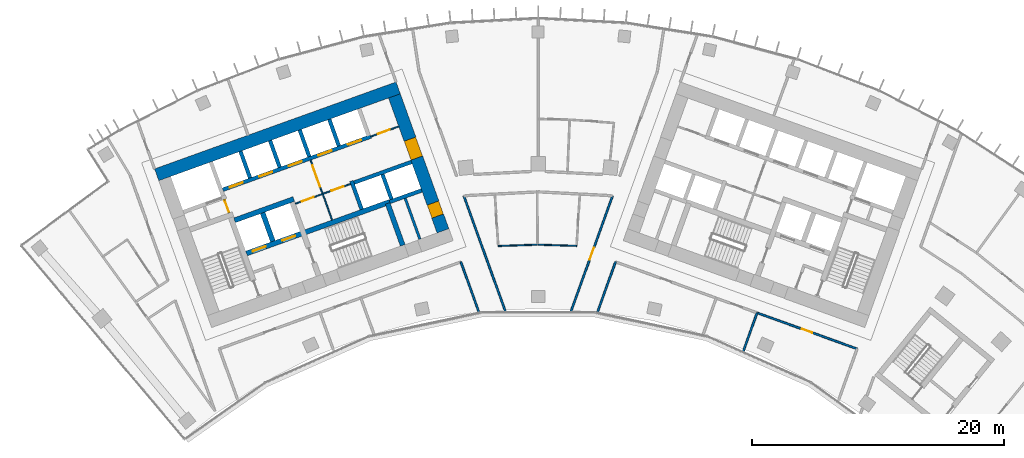
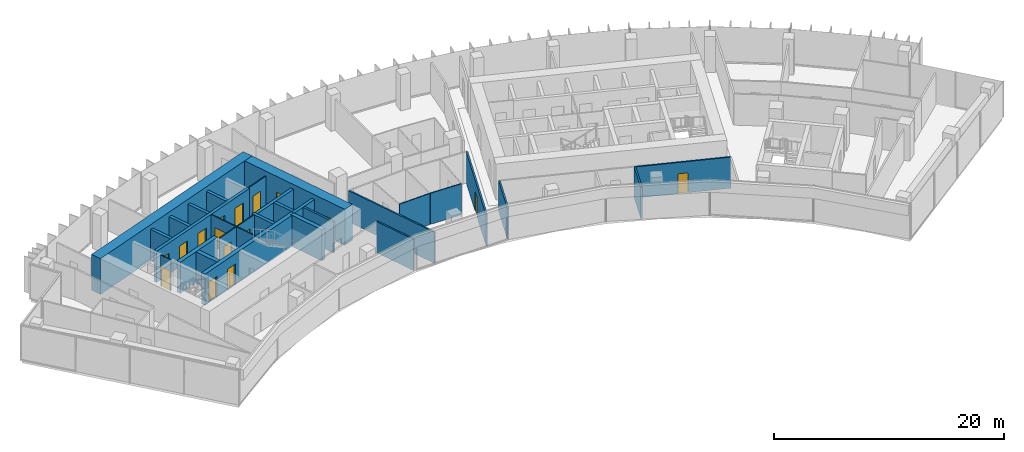
# One storey, part 13 of 19: 28 walls, 16 doors, 16 openings.
"""IFC4 building model written with IfcOpenShell, lengths in metres."""

from ifc_helpers import new_model, si_unit, direction, frame, frame_2d, origin, place, context, subcontext, project, spatial, rectangle, extrude, material, layer, layer_set, type_object, element, fill, save


model = new_model("IFC4")

# Units and contexts
model_context = context("Model", 3, precision=1e-05, world=origin(), true_north=direction((0.0, 1.0)))
body_context = subcontext(model_context, "Body", "Model", "MODEL_VIEW")
ifc_project = project(units=[si_unit("LENGTHUNIT", "METRE"), si_unit("AREAUNIT", "SQUARE_METRE"), si_unit("VOLUMEUNIT", "CUBIC_METRE"), si_unit("PLANEANGLEUNIT", "RADIAN"), si_unit("MASSUNIT", "GRAM", prefix="KILO")], contexts=[model_context])

# Site, building, storey
site_placement = place(None, origin())
site = spatial("IfcSite", under=ifc_project, at=site_placement, CompositionType="ELEMENT")
building_placement = place(site_placement, origin())
building = spatial("IfcBuilding", under=site, at=building_placement, Name="Stone Belt Terrace Tower", CompositionType="ELEMENT")
storey_placement = place(building_placement, frame((0.0, 0.0, 246.60009765625)))
storey = spatial("IfcBuildingStorey", under=building, at=storey_placement, Name="L60", CompositionType="ELEMENT", Elevation=246.60009765625)

# Wall, opening, door
ifc_material_1 = material(Name="Plasterboard partition")
ifc_layer_1 = layer(ifc_material_1, 0.10009765625)
ifc_layer_set_1 = layer_set([ifc_layer_1], Name="Core partition 100")
wall_type_1 = type_object("IfcWallType", Name="Core partition 100", PredefinedType="PARTITIONING", material=ifc_layer_set_1)
wall_1_placement = place(storey_placement, frame((-24.555908203125, 51.10400390625, 0.0), z_axis=(0.0, 0.0, 1.0), x_axis=(-0.338621735342, 0.94092258999, 0.0)))
wall_1 = element("IfcWall", 1, at=wall_1_placement, inside=storey, type_object=wall_type_1, Name="Core A wall", PredefinedType="PARTITIONING", context=body_context, shape_type="SweptSolid", body=[
    extrude(rectangle(XDim=1.14990234375, YDim=0.10009765625, at=frame_2d((0.574951171875, 0.0))), origin(), (0.0, 0.0, 1.0), 3.2998046875),
])
opening_1_placement = place(wall_1_placement, frame((0.050048828125, 0.0, 0.0)))
opening_1 = element("IfcOpeningElement", 2, at=opening_1_placement, cuts=wall_1, Name="Opening L60-C05", PredefinedType="OPENING", context=body_context, shape_type="SweptSolid", body=[
    extrude(rectangle(XDim=1.0, YDim=2.10009765625, at=frame_2d((0.5, 1.050048828125))), frame((0.0, 0.06005859375, 0.0), z_axis=(0.0, -1.0, 0.0), x_axis=(1.0, 0.0, 0.0)), (0.0, 0.0, 1.0), 0.1201171875),
])
ifc_material_2 = material(Name="Timber door leaf", Category="wood")
door_type_1 = type_object("IfcDoorType", Name="Core room door 1000", OperationType="SINGLE_SWING_LEFT", PredefinedType="DOOR", material=ifc_material_2)
door_1_placement = place(opening_1_placement, origin())
door_1 = element("IfcDoor", 3, at=door_1_placement, inside=storey, type_object=door_type_1, Name="Service lift lobby door core A", OperationType="SINGLE_SWING_LEFT", OverallHeight=2.10009765625, OverallWidth=1.0, PredefinedType="DOOR", context=body_context, shape_type="SweptSolid", body=[
    extrude(rectangle(XDim=1.0, YDim=2.10009765625, at=frame_2d((0.5, 1.050048828125))), frame((0.0, 0.02490234375, 0.0), z_axis=(0.0, -1.0, 0.0), x_axis=(1.0, 0.0, 0.0)), (0.0, 0.0, 1.0), 0.050048828125),
])
fill(opening_1, door_1)

# Wall, openings, doors
wall_2_placement = place(storey_placement, frame((-19.29052734375, 51.829833984375, 0.0), z_axis=(0.0, 0.0, 1.0), x_axis=(0.940930240745, 0.338600475563, 0.0)))
wall_2 = element("IfcWall", 4, at=wall_2_placement, inside=storey, type_object=wall_type_1, Name="Core A wall", PredefinedType="PARTITIONING", context=body_context, shape_type="SweptSolid", body=[
    extrude(rectangle(XDim=4.64990234375, YDim=0.10009765625, at=frame_2d((2.324951171875, 0.0))), origin(), (0.0, 0.0, 1.0), 3.2998046875),
])
opening_2_placement = place(wall_2_placement, frame((0.550048828125, 0.0, 0.0)))
opening_2 = element("IfcOpeningElement", 5, at=opening_2_placement, cuts=wall_2, Name="Opening L60-C02", PredefinedType="OPENING", context=body_context, shape_type="SweptSolid", body=[
    extrude(rectangle(XDim=1.0, YDim=2.10009765625, at=frame_2d((0.5, 1.050048828125))), frame((0.0, 0.06005859375, 0.0), z_axis=(0.0, -1.0, 0.0), x_axis=(1.0, 0.0, 0.0)), (0.0, 0.0, 1.0), 0.1201171875),
])
opening_3_placement = place(wall_2_placement, frame((3.050048828125, 0.0, 0.0)))
opening_3 = element("IfcOpeningElement", 6, at=opening_3_placement, cuts=wall_2, Name="Opening L60-C03", PredefinedType="OPENING", context=body_context, shape_type="SweptSolid", body=[
    extrude(rectangle(XDim=1.0, YDim=2.10009765625, at=frame_2d((0.5, 1.050048828125))), frame((0.0, 0.06005859375, 0.0), z_axis=(0.0, -1.0, 0.0), x_axis=(1.0, 0.0, 0.0)), (0.0, 0.0, 1.0), 0.1201171875),
])
door_2_placement = place(opening_2_placement, origin())
door_2 = element("IfcDoor", 7, at=door_2_placement, inside=storey, type_object=door_type_1, Name="Door to Print and copy room core A", OperationType="SINGLE_SWING_LEFT", OverallHeight=2.10009765625, OverallWidth=1.0, PredefinedType="DOOR", context=body_context, shape_type="SweptSolid", body=[
    extrude(rectangle(XDim=1.0, YDim=2.10009765625, at=frame_2d((0.5, 1.050048828125))), frame((0.0, 0.02490234375, 0.0), z_axis=(0.0, -1.0, 0.0), x_axis=(1.0, 0.0, 0.0)), (0.0, 0.0, 1.0), 0.050048828125),
])
fill(opening_2, door_2)
door_3_placement = place(opening_3_placement, origin())
door_3 = element("IfcDoor", 8, at=door_3_placement, inside=storey, type_object=door_type_1, Name="Door to Pantry core A", OperationType="SINGLE_SWING_RIGHT", OverallHeight=2.10009765625, OverallWidth=1.0, PredefinedType="DOOR", context=body_context, shape_type="SweptSolid", body=[
    extrude(rectangle(XDim=1.0, YDim=2.10009765625, at=frame_2d((0.5, 1.050048828125))), frame((0.0, 0.02490234375, 0.0), z_axis=(0.0, -1.0, 0.0), x_axis=(1.0, 0.0, 0.0)), (0.0, 0.0, 1.0), 0.050048828125),
])
fill(opening_3, door_3)

# Wall, opening, door
wall_3_placement = place(storey_placement, frame((-16.38134765625, 50.53857421875, 0.0), z_axis=(0.0, 0.0, 1.0), x_axis=(-0.33860476744, 0.940928696271, 0.0)))
wall_3 = element("IfcWall", 9, at=wall_3_placement, inside=storey, type_object=wall_type_1, Name="Core A wall", PredefinedType="PARTITIONING", context=body_context, shape_type="SweptSolid", body=[
    extrude(rectangle(XDim=5.050048828125, YDim=0.10009765625, at=frame_2d((2.52490234375, 0.0))), origin(), (0.0, 0.0, 1.0), 3.2998046875),
])
opening_4_placement = place(wall_3_placement, frame((2.800048828125, 0.0, 0.0)))
opening_4 = element("IfcOpeningElement", 10, at=opening_4_placement, cuts=wall_3, Name="Opening L60-C06", PredefinedType="OPENING", context=body_context, shape_type="SweptSolid", body=[
    extrude(rectangle(XDim=1.800048828125, YDim=2.10009765625, at=frame_2d((0.89990234375, 1.050048828125))), frame((0.0, 0.06005859375, 0.0), z_axis=(0.0, -1.0, 0.0), x_axis=(1.0, 0.0, 0.0)), (0.0, 0.0, 1.0), 0.1201171875),
])
ifc_material_3 = material(Name="Glazed aluminium door leaf", Category="aluminium")
door_type_2 = type_object("IfcDoorType", Name="Lift lobby entrance door 1800", OperationType="DOUBLE_DOOR_SINGLE_SWING", PredefinedType="DOOR", material=ifc_material_3)
door_4_placement = place(opening_4_placement, origin())
door_4 = element("IfcDoor", 11, at=door_4_placement, inside=storey, type_object=door_type_2, Name="Lift lobby double door core A", OperationType="DOUBLE_DOOR_SINGLE_SWING", OverallHeight=2.10009765625, OverallWidth=1.800048828125, PredefinedType="DOOR", context=body_context, shape_type="SweptSolid", body=[
    extrude(rectangle(XDim=1.800048828125, YDim=2.10009765625, at=frame_2d((0.89990234375, 1.050048828125))), frame((0.0, 0.02490234375, 0.0), z_axis=(0.0, -1.0, 0.0), x_axis=(1.0, 0.0, 0.0)), (0.0, 0.0, 1.0), 0.050048828125),
])
fill(opening_4, door_4)

wall_4_placement = place(storey_placement, frame((-13.29638671875, 57.17529296875, 0.0), z_axis=(0.0, 0.0, 1.0), x_axis=(0.940904627055, 0.338671644496, 0.0)))
wall_4 = element("IfcWall", 12, at=wall_4_placement, inside=storey, type_object=wall_type_1, Name="Core A wall", PredefinedType="PARTITIONING", context=body_context, shape_type="SweptSolid", body=[
    extrude(rectangle(XDim=2.35009765625, YDim=0.10009765625, at=frame_2d((1.175048828125, 0.0))), origin(), (0.0, 0.0, 1.0), 3.2998046875),
])
opening_5_placement = place(wall_4_placement, frame((0.60009765625, 0.0, 0.0)))
opening_5 = element("IfcOpeningElement", 13, at=opening_5_placement, cuts=wall_4, Name="Opening L60-C01", PredefinedType="OPENING", context=body_context, shape_type="SweptSolid", body=[
    extrude(rectangle(XDim=1.0, YDim=2.10009765625, at=frame_2d((0.5, 1.050048828125))), frame((0.0, 0.06005859375, 0.0), z_axis=(0.0, -1.0, 0.0), x_axis=(1.0, 0.0, 0.0)), (0.0, 0.0, 1.0), 0.1201171875),
])
door_5_placement = place(opening_5_placement, origin())
door_5 = element("IfcDoor", 14, at=door_5_placement, inside=storey, type_object=door_type_1, Name="Door to Communications hub room core A", OperationType="SINGLE_SWING_LEFT", OverallHeight=2.10009765625, OverallWidth=1.0, PredefinedType="DOOR", context=body_context, shape_type="SweptSolid", body=[
    extrude(rectangle(XDim=1.0, YDim=2.10009765625, at=frame_2d((0.5, 1.050048828125))), frame((0.0, 0.02490234375, 0.0), z_axis=(0.0, -1.0, 0.0), x_axis=(1.0, 0.0, 0.0)), (0.0, 0.0, 1.0), 0.050048828125),
])
fill(opening_5, door_5)

# Wall
ifc_material_4 = material(Name="Concrete B60", Category="concrete")
ifc_layer_2 = layer(ifc_material_4, 1.0)
ifc_layer_set_2 = layer_set([ifc_layer_2], Name="Core wall 1000 B60")
wall_type_2 = type_object("IfcWallType", Name="Core wall 1000 B60", PredefinedType="SHEAR", material=ifc_layer_set_2)
wall_5_placement = place(storey_placement, frame((-30.3212890625, 54.13037109375, 0.0), z_axis=(0.0, 0.0, 1.0), x_axis=(0.940921428504, 0.338624962727, 0.0)))
element("IfcWall", 15, at=wall_5_placement, inside=storey, type_object=wall_type_2, Name="Core A wall convex L60", PredefinedType="SHEAR", context=body_context, shape_type="SweptSolid", body=[
    extrude(rectangle(XDim=20.400146484375, YDim=1.0, at=frame_2d((10.2001953125, 0.0))), origin(), (0.0, 0.0, 1.0), 3.7998046875),
])

# Wall, openings, doors
wall_6_placement = place(storey_placement, frame((-7.567138671875, 49.672119140625, 0.0), z_axis=(0.0, 0.0, 1.0), x_axis=(-0.338625431531, 0.940921259788, 0.0)))
wall_6 = element("IfcWall", 16, at=wall_6_placement, inside=storey, type_object=wall_type_2, Name="Core A wall end_b L60", PredefinedType="SHEAR", context=body_context, shape_type="SweptSolid", body=[
    extrude(rectangle(XDim=11.400146484375, YDim=1.0, at=frame_2d((5.7001953125, 0.0))), origin(), (0.0, 0.0, 1.0), 3.7998046875),
])
opening_6_placement = place(wall_6_placement, frame((6.14990234375, 0.0, 0.0)))
opening_6 = element("IfcOpeningElement", 17, at=opening_6_placement, cuts=wall_6, Name="Opening L60-C07", PredefinedType="OPENING", context=body_context, shape_type="SweptSolid", body=[
    extrude(rectangle(XDim=1.60009765625, YDim=2.10009765625, at=frame_2d((0.800048828125, 1.050048828125))), frame((0.0, 0.510009765625, 0.0), z_axis=(0.0, -1.0, 0.0), x_axis=(1.0, 0.0, 0.0)), (0.0, 0.0, 1.0), 1.02001953125),
])
opening_7_placement = place(wall_6_placement, frame((1.25, 0.0, 0.0)))
opening_7 = element("IfcOpeningElement", 18, at=opening_7_placement, cuts=wall_6, Name="Opening L60-C13", PredefinedType="OPENING", context=body_context, shape_type="SweptSolid", body=[
    extrude(rectangle(XDim=1.10009765625, YDim=2.10009765625, at=frame_2d((0.550048828125, 1.050048828125))), frame((0.0, 0.510009765625, 0.0), z_axis=(0.0, -1.0, 0.0), x_axis=(1.0, 0.0, 0.0)), (0.0, 0.0, 1.0), 1.02001953125),
])
door_type_3 = type_object("IfcDoorType", Name="Core room door 1100", OperationType="SINGLE_SWING_LEFT", PredefinedType="DOOR", material=ifc_material_2)
door_6_placement = place(opening_7_placement, origin())
door_6 = element("IfcDoor", 19, at=door_6_placement, inside=storey, type_object=door_type_3, Name="Door to Cleaner's store core A", OperationType="SINGLE_SWING_RIGHT", OverallHeight=2.10009765625, OverallWidth=1.10009765625, PredefinedType="DOOR", context=body_context, shape_type="SweptSolid", body=[
    extrude(rectangle(XDim=1.10009765625, YDim=2.10009765625, at=frame_2d((0.550048828125, 1.050048828125))), frame((0.0, 0.47998046875, 0.0), z_axis=(0.0, -1.0, 0.0), x_axis=(1.0, 0.0, 0.0)), (0.0, 0.0, 1.0), 0.9599609375),
])
fill(opening_7, door_6)
door_type_4 = type_object("IfcDoorType", Name="Lift lobby entrance door 1600", OperationType="DOUBLE_DOOR_SINGLE_SWING", PredefinedType="DOOR", material=ifc_material_3)
door_7_placement = place(opening_6_placement, origin())
door_7 = element("IfcDoor", 20, at=door_7_placement, inside=storey, type_object=door_type_4, Name="Lift lobby entrance door core A", OperationType="DOUBLE_DOOR_SINGLE_SWING", OverallHeight=2.10009765625, OverallWidth=1.60009765625, PredefinedType="DOOR", context=body_context, shape_type="SweptSolid", body=[
    extrude(rectangle(XDim=1.60009765625, YDim=2.10009765625, at=frame_2d((0.800048828125, 1.050048828125))), frame((0.0, 0.47998046875, 0.0), z_axis=(0.0, -1.0, 0.0), x_axis=(1.0, 0.0, 0.0)), (0.0, 0.0, 1.0), 0.9599609375),
])
fill(opening_6, door_7)

# Walls
ifc_material_5 = material(Name="Concrete B80", Category="concrete")
ifc_layer_3 = layer(ifc_material_5, 0.39990234375)
ifc_layer_set_3 = layer_set([ifc_layer_3], Name="Fire-fighting lift shaft wall 400")
wall_type_3 = type_object("IfcWallType", Name="Fire-fighting lift shaft wall 400", PredefinedType="SHEAR", material=ifc_layer_set_3)
wall_7_placement = place(storey_placement, frame((-24.130615234375, 50.512939453125, 0.0), z_axis=(0.0, 0.0, 1.0), x_axis=(0.94091168377, 0.338652038744, 0.0)))
element("IfcWall", 21, at=wall_7_placement, inside=storey, type_object=wall_type_3, Name="Core A wall", PredefinedType="SHEAR", context=body_context, shape_type="SweptSolid", body=[
    extrude(rectangle(XDim=5.000244140625, YDim=0.39990234375, at=frame_2d((2.5, 0.0))), origin(), (0.0, 0.0, 1.0), 3.2998046875),
])
wall_8_placement = place(storey_placement, frame((-21.0859375, 48.845458984375, 0.0), z_axis=(0.0, 0.0, 1.0), x_axis=(-0.338629416206, 0.940919825745, 0.0)))
element("IfcWall", 22, at=wall_8_placement, inside=storey, type_object=wall_type_3, Name="Core A wall", PredefinedType="SHEAR", context=body_context, shape_type="SweptSolid", body=[
    extrude(rectangle(XDim=2.400146484375, YDim=0.39990234375, at=frame_2d((1.2001953125, 0.0))), origin(), (0.0, 0.0, 1.0), 3.2998046875),
])

# Wall, openings, doors
ifc_layer_4 = layer(ifc_material_5, 0.300048828125)
ifc_layer_set_4 = layer_set([ifc_layer_4], Name="Lift shaft wall 300")
wall_type_4 = type_object("IfcWallType", Name="Lift shaft wall 300", PredefinedType="SHEAR", material=ifc_layer_set_4)
wall_9_placement = place(storey_placement, frame((-25.05810546875, 52.9423828125, 0.0), z_axis=(0.0, 0.0, 1.0), x_axis=(0.940920770291, 0.338626791666, 0.0)))
wall_9 = element("IfcWall", 23, at=wall_9_placement, inside=storey, type_object=wall_type_4, Name="Core A wall", PredefinedType="SHEAR", context=body_context, shape_type="SweptSolid", body=[
    extrude(rectangle(XDim=12.500244140625, YDim=0.300048828125, at=frame_2d((6.25, 0.0))), origin(), (0.0, 0.0, 1.0), 3.2998046875),
])
opening_8_placement = place(wall_9_placement, frame((0.570068359375, 0.0, 0.0)))
opening_8 = element("IfcOpeningElement", 24, at=opening_8_placement, cuts=wall_9, Name="Opening L60-LD01", PredefinedType="OPENING", context=body_context, shape_type="SweptSolid", body=[
    extrude(rectangle(XDim=1.10009765625, YDim=2.199951171875, at=frame_2d((0.550048828125, 1.10009765625))), frame((0.0, 0.159912109375, 0.0), z_axis=(0.0, -1.0, 0.0), x_axis=(1.0, 0.0, 0.0)), (0.0, 0.0, 1.0), 0.320068359375),
])
opening_9_placement = place(wall_9_placement, frame((3.070068359375, 0.0, 0.0)))
opening_9 = element("IfcOpeningElement", 25, at=opening_9_placement, cuts=wall_9, Name="Opening L60-LD02", PredefinedType="OPENING", context=body_context, shape_type="SweptSolid", body=[
    extrude(rectangle(XDim=1.10009765625, YDim=2.199951171875, at=frame_2d((0.550048828125, 1.10009765625))), frame((0.0, 0.159912109375, 0.0), z_axis=(0.0, -1.0, 0.0), x_axis=(1.0, 0.0, 0.0)), (0.0, 0.0, 1.0), 0.320068359375),
])
opening_10_placement = place(wall_9_placement, frame((5.570068359375, 0.0, 0.0)))
opening_10 = element("IfcOpeningElement", 26, at=opening_10_placement, cuts=wall_9, Name="Opening L60-LD03", PredefinedType="OPENING", context=body_context, shape_type="SweptSolid", body=[
    extrude(rectangle(XDim=1.10009765625, YDim=2.199951171875, at=frame_2d((0.550048828125, 1.10009765625))), frame((0.0, 0.159912109375, 0.0), z_axis=(0.0, -1.0, 0.0), x_axis=(1.0, 0.0, 0.0)), (0.0, 0.0, 1.0), 0.320068359375),
])
opening_11_placement = place(wall_9_placement, frame((8.070068359375, 0.0, 0.0)))
opening_11 = element("IfcOpeningElement", 27, at=opening_11_placement, cuts=wall_9, Name="Opening L60-LD04", PredefinedType="OPENING", context=body_context, shape_type="SweptSolid", body=[
    extrude(rectangle(XDim=1.10009765625, YDim=2.199951171875, at=frame_2d((0.550048828125, 1.10009765625))), frame((0.0, 0.159912109375, 0.0), z_axis=(0.0, -1.0, 0.0), x_axis=(1.0, 0.0, 0.0)), (0.0, 0.0, 1.0), 0.320068359375),
])
opening_12_placement = place(wall_9_placement, frame((10.570068359375, 0.0, 0.0)))
opening_12 = element("IfcOpeningElement", 28, at=opening_12_placement, cuts=wall_9, Name="Opening L60-LD05", PredefinedType="OPENING", context=body_context, shape_type="SweptSolid", body=[
    extrude(rectangle(XDim=1.10009765625, YDim=2.199951171875, at=frame_2d((0.550048828125, 1.10009765625))), frame((0.0, 0.159912109375, 0.0), z_axis=(0.0, -1.0, 0.0), x_axis=(1.0, 0.0, 0.0)), (0.0, 0.0, 1.0), 0.320068359375),
])
ifc_material_6 = material(Name="Stainless steel door leaf", Category="steel")
door_type_5 = type_object("IfcDoorType", Name="Landing door 1100", OperationType="SLIDING_TO_LEFT", PredefinedType="DOOR", material=ifc_material_6)
door_8_placement = place(opening_8_placement, origin())
door_8 = element("IfcDoor", 29, at=door_8_placement, inside=storey, type_object=door_type_5, Name="Landing door MR1 core A", OperationType="SLIDING_TO_LEFT", OverallHeight=2.199951171875, OverallWidth=1.10009765625, PredefinedType="DOOR", context=body_context, shape_type="SweptSolid", body=[
    extrude(rectangle(XDim=1.10009765625, YDim=2.199951171875, at=frame_2d((0.550048828125, 1.10009765625))), frame((0.0, 0.02490234375, 0.0), z_axis=(0.0, -1.0, 0.0), x_axis=(1.0, 0.0, 0.0)), (0.0, 0.0, 1.0), 0.050048828125),
])
fill(opening_8, door_8)
door_9_placement = place(opening_9_placement, origin())
door_9 = element("IfcDoor", 30, at=door_9_placement, inside=storey, type_object=door_type_5, Name="Landing door MR2 core A", OperationType="SLIDING_TO_LEFT", OverallHeight=2.199951171875, OverallWidth=1.10009765625, PredefinedType="DOOR", context=body_context, shape_type="SweptSolid", body=[
    extrude(rectangle(XDim=1.10009765625, YDim=2.199951171875, at=frame_2d((0.550048828125, 1.10009765625))), frame((0.0, 0.02490234375, 0.0), z_axis=(0.0, -1.0, 0.0), x_axis=(1.0, 0.0, 0.0)), (0.0, 0.0, 1.0), 0.050048828125),
])
fill(opening_9, door_9)
door_10_placement = place(opening_10_placement, origin())
door_10 = element("IfcDoor", 31, at=door_10_placement, inside=storey, type_object=door_type_5, Name="Landing door MR3 core A", OperationType="SLIDING_TO_LEFT", OverallHeight=2.199951171875, OverallWidth=1.10009765625, PredefinedType="DOOR", context=body_context, shape_type="SweptSolid", body=[
    extrude(rectangle(XDim=1.10009765625, YDim=2.199951171875, at=frame_2d((0.550048828125, 1.10009765625))), frame((0.0, 0.02490234375, 0.0), z_axis=(0.0, -1.0, 0.0), x_axis=(1.0, 0.0, 0.0)), (0.0, 0.0, 1.0), 0.050048828125),
])
fill(opening_10, door_10)
door_11_placement = place(opening_11_placement, origin())
door_11 = element("IfcDoor", 32, at=door_11_placement, inside=storey, type_object=door_type_5, Name="Landing door MR4 core A", OperationType="SLIDING_TO_LEFT", OverallHeight=2.199951171875, OverallWidth=1.10009765625, PredefinedType="DOOR", context=body_context, shape_type="SweptSolid", body=[
    extrude(rectangle(XDim=1.10009765625, YDim=2.199951171875, at=frame_2d((0.550048828125, 1.10009765625))), frame((0.0, 0.02490234375, 0.0), z_axis=(0.0, -1.0, 0.0), x_axis=(1.0, 0.0, 0.0)), (0.0, 0.0, 1.0), 0.050048828125),
])
fill(opening_11, door_11)
door_12_placement = place(opening_12_placement, origin())
door_12 = element("IfcDoor", 33, at=door_12_placement, inside=storey, type_object=door_type_5, Name="Landing door MR5 core A", OperationType="SLIDING_TO_LEFT", OverallHeight=2.199951171875, OverallWidth=1.10009765625, PredefinedType="DOOR", context=body_context, shape_type="SweptSolid", body=[
    extrude(rectangle(XDim=1.10009765625, YDim=2.199951171875, at=frame_2d((0.550048828125, 1.10009765625))), frame((0.0, 0.02490234375, 0.0), z_axis=(0.0, -1.0, 0.0), x_axis=(1.0, 0.0, 0.0)), (0.0, 0.0, 1.0), 0.050048828125),
])
fill(opening_12, door_12)

# Walls
wall_10_placement = place(storey_placement, frame((-22.897705078125, 53.87939453125, 0.0), z_axis=(0.0, 0.0, 1.0), x_axis=(-0.338535034312, 0.940953787677, 0.0)))
element("IfcWall", 34, at=wall_10_placement, inside=storey, type_object=wall_type_4, Name="Core A wall", PredefinedType="SHEAR", context=body_context, shape_type="SweptSolid", body=[
    extrude(rectangle(XDim=2.25, YDim=0.300048828125, at=frame_2d((1.125, 0.0))), origin(), (0.0, 0.0, 1.0), 3.2998046875),
])
wall_11_placement = place(storey_placement, frame((-20.54541015625, 54.72607421875, 0.0), z_axis=(0.0, 0.0, 1.0), x_axis=(-0.338569601369, 0.940941350472, 0.0)))
element("IfcWall", 35, at=wall_11_placement, inside=storey, type_object=wall_type_4, Name="Core A wall", PredefinedType="SHEAR", context=body_context, shape_type="SweptSolid", body=[
    extrude(rectangle(XDim=2.249755859375, YDim=0.300048828125, at=frame_2d((1.125, 0.0))), origin(), (0.0, 0.0, 1.0), 3.2998046875),
])
wall_12_placement = place(storey_placement, frame((-18.193115234375, 55.572509765625, 0.0), z_axis=(0.0, 0.0, 1.0), x_axis=(-0.338535034312, 0.940953787677, 0.0)))
element("IfcWall", 36, at=wall_12_placement, inside=storey, type_object=wall_type_4, Name="Core A wall", PredefinedType="SHEAR", context=body_context, shape_type="SweptSolid", body=[
    extrude(rectangle(XDim=2.25, YDim=0.300048828125, at=frame_2d((1.125, 0.0))), origin(), (0.0, 0.0, 1.0), 3.2998046875),
])
wall_13_placement = place(storey_placement, frame((-14.029052734375, 51.38525390625, 0.0), z_axis=(0.0, 0.0, 1.0), x_axis=(-0.338661829791, 0.940908159728, 0.0)))
element("IfcWall", 37, at=wall_13_placement, inside=storey, type_object=wall_type_4, Name="Core A wall", PredefinedType="SHEAR", context=body_context, shape_type="SweptSolid", body=[
    extrude(rectangle(XDim=2.39990234375, YDim=0.300048828125, at=frame_2d((1.199951171875, 0.0))), origin(), (0.0, 0.0, 1.0), 3.2998046875),
])
wall_14_placement = place(storey_placement, frame((-14.6328125, 53.506103515625, 0.0), z_axis=(0.0, 0.0, 1.0), x_axis=(0.940931684323, 0.338596464007, 0.0)))
element("IfcWall", 38, at=wall_14_placement, inside=storey, type_object=wall_type_4, Name="Core A wall", PredefinedType="SHEAR", context=body_context, shape_type="SweptSolid", body=[
    extrude(rectangle(XDim=4.849609375, YDim=0.300048828125, at=frame_2d((2.4248046875, 0.0))), origin(), (0.0, 0.0, 1.0), 3.2998046875),
])
wall_15_placement = place(storey_placement, frame((-15.8408203125, 56.419189453125, 0.0), z_axis=(0.0, 0.0, 1.0), x_axis=(-0.338569601369, 0.940941350472, 0.0)))
element("IfcWall", 39, at=wall_15_placement, inside=storey, type_object=wall_type_4, Name="Core A wall", PredefinedType="SHEAR", context=body_context, shape_type="SweptSolid", body=[
    extrude(rectangle(XDim=2.249755859375, YDim=0.300048828125, at=frame_2d((1.125, 0.0))), origin(), (0.0, 0.0, 1.0), 3.2998046875),
])
wall_16_placement = place(storey_placement, frame((-11.797119140625, 51.975830078125, 0.0), z_axis=(0.0, 0.0, 1.0), x_axis=(0.940910465161, 0.33865542451, 0.0)))
element("IfcWall", 40, at=wall_16_placement, inside=storey, type_object=wall_type_4, Name="Core A wall", PredefinedType="SHEAR", context=body_context, shape_type="SweptSolid", body=[
    extrude(rectangle(XDim=2.69970703125, YDim=0.300048828125, at=frame_2d((1.349853515625, 0.0))), origin(), (0.0, 0.0, 1.0), 3.2998046875),
])
wall_17_placement = place(storey_placement, frame((-11.659912109375, 52.184814453125, 0.0), z_axis=(0.0, 0.0, 1.0), x_axis=(-0.338670064856, 0.940905195634, 0.0)))
element("IfcWall", 41, at=wall_17_placement, inside=storey, type_object=wall_type_4, Name="Core A wall", PredefinedType="SHEAR", context=body_context, shape_type="SweptSolid", body=[
    extrude(rectangle(XDim=2.099853515625, YDim=0.300048828125, at=frame_2d((1.0498046875, 0.0))), origin(), (0.0, 0.0, 1.0), 3.2998046875),
])
ifc_material_7 = material(Name="Gypsum board partition")
ifc_layer_5 = layer(ifc_material_7, 0.10009765625)
ifc_layer_set_5 = layer_set([ifc_layer_5], Name="PARTITION 100")
wall_type_5 = type_object("IfcWallType", Name="PARTITION 100", PredefinedType="PARTITIONING", material=ifc_layer_set_5)
wall_18_placement = place(storey_placement, frame((-3.176025390625, 48.470947265625, 0.0), z_axis=(0.0, 0.0, 1.0), x_axis=(0.999442381291, 0.033390514817, 0.0)))
element("IfcWall", 42, at=wall_18_placement, inside=storey, type_object=wall_type_5, Name="L60/wall/i072", PredefinedType="PARTITIONING", context=body_context, shape_type="SweptSolid", body=[
    extrude(rectangle(XDim=3.11474609375, YDim=0.10009765625, at=frame_2d((1.557373046875, 0.0))), origin(), (0.0, 0.0, 1.0), 3.2998046875),
])
wall_19_placement = place(storey_placement, frame((0.0, 48.574951171875, 0.0), z_axis=(0.0, 0.0, 1.0), x_axis=(0.999505892336, -0.031432008937, 0.0)))
element("IfcWall", 43, at=wall_19_placement, inside=storey, type_object=wall_type_5, Name="L60/wall/i073", PredefinedType="PARTITIONING", context=body_context, shape_type="SweptSolid", body=[
    extrude(rectangle(XDim=3.052490234375, YDim=0.10009765625, at=frame_2d((1.5263671875, 0.0))), origin(), (0.0, 0.0, 1.0), 3.2998046875),
])
ifc_layer_6 = layer(ifc_material_7, 0.14990234375)
ifc_layer_set_6 = layer_set([ifc_layer_6], Name="PARTITION 150 EI 60")
wall_type_6 = type_object("IfcWallType", Name="PARTITION 150 EI 60", PredefinedType="PARTITIONING", material=ifc_layer_set_6)
wall_20_placement = place(storey_placement, frame((-4.71923828125, 43.23681640625, 0.0), z_axis=(0.0, 0.0, 1.0), x_axis=(-0.338568067537, 0.940941902374, 0.0)))
element("IfcWall", 44, at=wall_20_placement, inside=storey, type_object=wall_type_6, Name="L60/wall/i006", PredefinedType="PARTITIONING", context=body_context, shape_type="SweptSolid", body=[
    extrude(rectangle(XDim=4.2255859375, YDim=0.14990234375, at=frame_2d((2.11279296875, 0.0))), origin(), (0.0, 0.0, 1.0), 3.2998046875),
])
wall_21_placement = place(storey_placement, frame((-5.906005859375, 52.44091796875, 0.0), z_axis=(0.0, 0.0, 1.0), x_axis=(0.338646800778, -0.940913568997, 0.0)))
element("IfcWall", 45, at=wall_21_placement, inside=storey, type_object=wall_type_6, Name="L60/wall/i008", PredefinedType="PARTITIONING", context=body_context, shape_type="SweptSolid", body=[
    extrude(rectangle(XDim=9.755615234375, YDim=0.14990234375, at=frame_2d((4.8779296875, 0.0))), origin(), (0.0, 0.0, 1.0), 3.2998046875),
])
wall_22_placement = place(storey_placement, frame((6.14990234375, 47.212890625, 0.0), z_axis=(0.0, 0.0, 1.0), x_axis=(-0.338568067537, -0.940941902374, 0.0)))
element("IfcWall", 46, at=wall_22_placement, inside=storey, type_object=wall_type_6, Name="L60/wall/i017", PredefinedType="PARTITIONING", context=body_context, shape_type="SweptSolid", body=[
    extrude(rectangle(XDim=4.2255859375, YDim=0.14990234375, at=frame_2d((2.11279296875, 0.0))), origin(), (0.0, 0.0, 1.0), 3.2998046875),
])

# Wall, opening, door
wall_23_placement = place(storey_placement, frame((2.602294921875, 43.26171875, 0.0), z_axis=(0.0, 0.0, 1.0), x_axis=(0.338646800778, 0.940913568997, 0.0)))
wall_23 = element("IfcWall", 47, at=wall_23_placement, inside=storey, type_object=wall_type_6, Name="L60/wall/i019", PredefinedType="PARTITIONING", context=body_context, shape_type="SweptSolid", body=[
    extrude(rectangle(XDim=9.755615234375, YDim=0.14990234375, at=frame_2d((4.8779296875, 0.0))), origin(), (0.0, 0.0, 1.0), 3.2998046875),
])
opening_13_placement = place(wall_23_placement, frame((4.3779296875, 0.0, 0.0)))
opening_13 = element("IfcOpeningElement", 48, at=opening_13_placement, cuts=wall_23, Name="Opening D-D5b-21", PredefinedType="OPENING", context=body_context, shape_type="SweptSolid", body=[
    extrude(rectangle(XDim=1.0, YDim=2.10009765625, at=frame_2d((0.5, 1.050048828125))), frame((0.0, 0.0849609375, 0.0), z_axis=(0.0, -1.0, 0.0), x_axis=(1.0, 0.0, 0.0)), (0.0, 0.0, 1.0), 0.169921875),
])
ifc_material_8 = material(Name="Timber fire door leaf", Category="wood")
door_type_6 = type_object("IfcDoorType", Name="TENANCY ENTRANCE DOOR 1000 X 2100", OperationType="NOTDEFINED", PredefinedType="DOOR", material=ifc_material_8)
door_13_placement = place(opening_13_placement, origin())
door_13 = element("IfcDoor", 49, at=door_13_placement, inside=storey, type_object=door_type_6, Name="L60/door/i21", OperationType="SINGLE_SWING_LEFT", OverallHeight=2.10009765625, OverallWidth=1.0, PredefinedType="DOOR", context=body_context, shape_type="SweptSolid", body=[
    extrude(rectangle(XDim=1.0, YDim=2.10009765625, at=frame_2d((0.5, 1.050048828125))), frame((0.0, 0.02490234375, 0.0), z_axis=(0.0, -1.0, 0.0), x_axis=(1.0, 0.0, 0.0)), (0.0, 0.0, 1.0), 0.050048828125),
])
fill(opening_13, door_13)

wall_24_placement = place(storey_placement, frame((25.343017578125, 40.299072265625, 0.0), z_axis=(0.0, 0.0, 1.0), x_axis=(-0.940943751602, 0.338562928156, 0.0)))
wall_24 = element("IfcWall", 50, at=wall_24_placement, inside=storey, type_object=wall_type_6, Name="L60/wall/i030", PredefinedType="PARTITIONING", context=body_context, shape_type="SweptSolid", body=[
    extrude(rectangle(XDim=8.449951171875, YDim=0.14990234375, at=frame_2d((4.22509765625, 0.0))), origin(), (0.0, 0.0, 1.0), 3.2998046875),
])
opening_14_placement = place(wall_24_placement, frame((3.775146484375, 0.0, 0.0)))
opening_14 = element("IfcOpeningElement", 51, at=opening_14_placement, cuts=wall_24, Name="Opening D-D5b-08", PredefinedType="OPENING", context=body_context, shape_type="SweptSolid", body=[
    extrude(rectangle(XDim=0.89990234375, YDim=2.10009765625, at=frame_2d((0.449951171875, 1.050048828125))), frame((0.0, 0.0849609375, 0.0), z_axis=(0.0, -1.0, 0.0), x_axis=(1.0, 0.0, 0.0)), (0.0, 0.0, 1.0), 0.169921875),
])
door_type_7 = type_object("IfcDoorType", Name="OFFICE DOOR 900 X 2100", OperationType="NOTDEFINED", PredefinedType="DOOR", material=ifc_material_2)
door_14_placement = place(opening_14_placement, origin())
door_14 = element("IfcDoor", 52, at=door_14_placement, inside=storey, type_object=door_type_7, Name="L60/door/i08", OperationType="SINGLE_SWING_LEFT", OverallHeight=2.10009765625, OverallWidth=0.89990234375, PredefinedType="DOOR", context=body_context, shape_type="SweptSolid", body=[
    extrude(rectangle(XDim=0.89990234375, YDim=2.10009765625, at=frame_2d((0.449951171875, 1.050048828125))), frame((0.0, 0.02490234375, 0.0), z_axis=(0.0, -1.0, 0.0), x_axis=(1.0, 0.0, 0.0)), (0.0, 0.0, 1.0), 0.050048828125),
])
fill(opening_14, door_14)

# Walls
wall_25_placement = place(storey_placement, frame((17.39794921875, 43.157958984375, 0.0), z_axis=(0.0, 0.0, 1.0), x_axis=(-0.338538592719, -0.940952507431, 0.0)))
element("IfcWall", 53, at=wall_25_placement, inside=storey, type_object=wall_type_6, Name="L60/wall/i032", PredefinedType="PARTITIONING", context=body_context, shape_type="SweptSolid", body=[
    extrude(rectangle(XDim=3.250244140625, YDim=0.14990234375, at=frame_2d((1.625, 0.0))), origin(), (0.0, 0.0, 1.0), 3.2998046875),
])
ifc_material_9 = material(Name="Concrete masonry block", Category="masonry")
ifc_layer_7 = layer(ifc_material_9, 0.199951171875)
ifc_layer_set_7 = layer_set([ifc_layer_7], Name="Rated lobby wall 200")
wall_type_7 = type_object("IfcWallType", Name="Rated lobby wall 200", PredefinedType="PARTITIONING", material=ifc_layer_set_7)
wall_26_placement = place(storey_placement, frame((-9.402099609375, 49.01171875, 0.0), z_axis=(0.0, 0.0, 1.0), x_axis=(-0.338599189079, 0.940930703695, 0.0)))
element("IfcWall", 54, at=wall_26_placement, inside=storey, type_object=wall_type_7, Name="Core A wall", PredefinedType="PARTITIONING", context=body_context, shape_type="SweptSolid", body=[
    extrude(rectangle(XDim=3.4501953125, YDim=0.199951171875, at=frame_2d((1.72509765625, 0.0))), origin(), (0.0, 0.0, 1.0), 3.2998046875),
])

# Wall, openings, doors
ifc_layer_8 = layer(ifc_material_5, 0.39990234375)
ifc_layer_set_8 = layer_set([ifc_layer_8], Name="Stair enclosure wall 400")
wall_type_8 = type_object("IfcWallType", Name="Stair enclosure wall 400", PredefinedType="SHEAR", material=ifc_layer_set_8)
wall_27_placement = place(storey_placement, frame((-23.182373046875, 47.87841796875, 0.0), z_axis=(0.0, 0.0, 1.0), x_axis=(0.940921101762, 0.338625870628, 0.0)))
wall_27 = element("IfcWall", 55, at=wall_27_placement, inside=storey, type_object=wall_type_8, Name="Core A wall", PredefinedType="SHEAR", context=body_context, shape_type="SweptSolid", body=[
    extrude(rectangle(XDim=12.10009765625, YDim=0.39990234375, at=frame_2d((6.050048828125, 0.0))), origin(), (0.0, 0.0, 1.0), 3.2998046875),
])
opening_15_placement = place(wall_27_placement, frame((0.52001953125, 0.0, 0.0)))
opening_15 = element("IfcOpeningElement", 56, at=opening_15_placement, cuts=wall_27, Name="Opening L60-LD06", PredefinedType="OPENING", context=body_context, shape_type="SweptSolid", body=[
    extrude(rectangle(XDim=1.10009765625, YDim=2.199951171875, at=frame_2d((0.550048828125, 1.10009765625))), frame((0.0, 0.2099609375, 0.0), z_axis=(0.0, -1.0, 0.0), x_axis=(1.0, 0.0, 0.0)), (0.0, 0.0, 1.0), 0.419921875),
])
opening_16_placement = place(wall_27_placement, frame((3.02001953125, 0.0, 0.0)))
opening_16 = element("IfcOpeningElement", 57, at=opening_16_placement, cuts=wall_27, Name="Opening L60-LD07", PredefinedType="OPENING", context=body_context, shape_type="SweptSolid", body=[
    extrude(rectangle(XDim=1.10009765625, YDim=2.199951171875, at=frame_2d((0.550048828125, 1.10009765625))), frame((0.0, 0.2099609375, 0.0), z_axis=(0.0, -1.0, 0.0), x_axis=(1.0, 0.0, 0.0)), (0.0, 0.0, 1.0), 0.419921875),
])
door_15_placement = place(opening_15_placement, origin())
door_15 = element("IfcDoor", 58, at=door_15_placement, inside=storey, type_object=door_type_5, Name="Landing door FF1 core A", OperationType="SLIDING_TO_LEFT", OverallHeight=2.199951171875, OverallWidth=1.10009765625, PredefinedType="DOOR", context=body_context, shape_type="SweptSolid", body=[
    extrude(rectangle(XDim=1.10009765625, YDim=2.199951171875, at=frame_2d((0.550048828125, 1.10009765625))), frame((0.0, 0.02490234375, 0.0), z_axis=(0.0, -1.0, 0.0), x_axis=(1.0, 0.0, 0.0)), (0.0, 0.0, 1.0), 0.050048828125),
])
fill(opening_15, door_15)
door_16_placement = place(opening_16_placement, origin())
door_16 = element("IfcDoor", 59, at=door_16_placement, inside=storey, type_object=door_type_5, Name="Landing door FF2 core A", OperationType="SLIDING_TO_LEFT", OverallHeight=2.199951171875, OverallWidth=1.10009765625, PredefinedType="DOOR", context=body_context, shape_type="SweptSolid", body=[
    extrude(rectangle(XDim=1.10009765625, YDim=2.199951171875, at=frame_2d((0.550048828125, 1.10009765625))), frame((0.0, 0.02490234375, 0.0), z_axis=(0.0, -1.0, 0.0), x_axis=(1.0, 0.0, 0.0)), (0.0, 0.0, 1.0), 0.050048828125),
])
fill(opening_16, door_16)

# Wall
wall_28_placement = place(storey_placement, frame((-10.766357421875, 48.520751953125, 0.0), z_axis=(0.0, 0.0, 1.0), x_axis=(-0.338626928157, 0.94092072117, 0.0)))
element("IfcWall", 60, at=wall_28_placement, inside=storey, type_object=wall_type_8, Name="Core A wall", PredefinedType="SHEAR", context=body_context, shape_type="SweptSolid", body=[
    extrude(rectangle(XDim=3.550048828125, YDim=0.39990234375, at=frame_2d((1.77490234375, 0.0))), origin(), (0.0, 0.0, 1.0), 3.2998046875),
])

save(model, "model.ifc")
